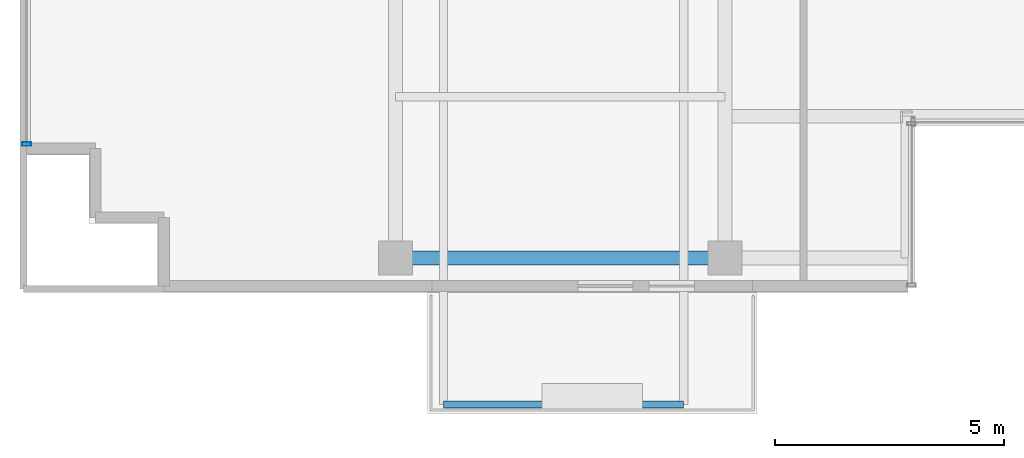
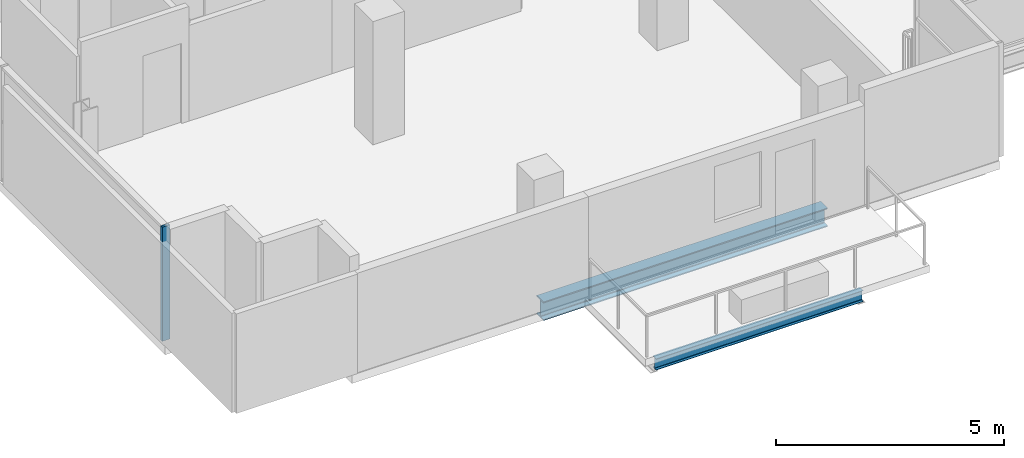
# One storey, part 2 of 21: 2 beams, 1 member, 1 element without a shape of its own.
"""IFC4 building model written with IfcOpenShell, lengths in metres."""

from ifc_helpers import new_model, si_unit, direction, frame, origin, origin_2d, place, context, subcontext, project, spatial, hollow_rectangle, i_section, extrude, source, transform, mapped, material, layer, layer_set, material_profile, profile_set, type_object, element, aggregate, save


model = new_model("IFC4")

# Units and contexts
model_context = context("Model", 3, precision=1e-05, world=origin(), true_north=direction((0.0, 1.0)))
body_context = subcontext(model_context, "Body", "Model", "MODEL_VIEW")
ifc_project = project(units=[si_unit("LENGTHUNIT", "METRE"), si_unit("AREAUNIT", "SQUARE_METRE"), si_unit("VOLUMEUNIT", "CUBIC_METRE"), si_unit("PLANEANGLEUNIT", "RADIAN"), si_unit("MASSUNIT", "GRAM", prefix="KILO")], contexts=[model_context])

# Site, building, storey
site_placement = place(None, origin())
site = spatial("IfcSite", under=ifc_project, at=site_placement, CompositionType="ELEMENT")
building_placement = place(site_placement, origin())
building = spatial("IfcBuilding", under=site, at=building_placement, Name="Zarnakvel Exchange Tower", CompositionType="ELEMENT")
storey_placement = place(building_placement, frame((0.0, 0.0, 182.5)))
storey = spatial("IfcBuildingStorey", under=building, at=storey_placement, Name="L51", CompositionType="ELEMENT", Elevation=182.5)

# Beams
ifc_material_1 = material(Name="Steel S355", Category="steel")
ifc_material_profile_1 = material_profile(ifc_material_1, i_section(OverallWidth=0.14990234375, OverallDepth=0.300048828125, WebThickness=0.007080078125, FlangeThickness=0.0107421875, FilletRadius=0.014892578125, at=origin_2d()))
ifc_profile_set_1 = profile_set([ifc_material_profile_1], Name="Steel S355")
beam_type_1 = type_object("IfcBeamType", Name="B-08", PredefinedType="JOIST", material=ifc_profile_set_1)
beam_1_placement = place(storey_placement, frame((-13.35009765625, -19.85009765625, -0.375), z_axis=(1.0, 0.0, 0.0), x_axis=(0.0, 1.0, 0.0)))
element("IfcBeam", 1, at=beam_1_placement, inside=storey, type_object=beam_type_1, Name="L51 Balcony Edge Beam", PredefinedType="JOIST", context=body_context, shape_type="SweptSolid", body=[
    extrude(i_section(OverallWidth=0.14990234375, OverallDepth=0.300048828125, WebThickness=0.007080078125, FlangeThickness=0.0107421875, FilletRadius=0.014892578125, at=origin_2d()), origin(), (0.0, 0.0, 1.0), 5.25),
])
ifc_material_profile_2 = material_profile(ifc_material_1, i_section(OverallWidth=0.300048828125, OverallDepth=0.5, WebThickness=0.014404296875, FlangeThickness=0.028076171875, FilletRadius=0.027099609375, at=origin_2d()))
ifc_profile_set_2 = profile_set([ifc_material_profile_2], Name="Steel S355")
beam_type_2 = type_object("IfcBeamType", Name="SP-02", PredefinedType="SPANDREL", material=ifc_profile_set_2)
beam_2_placement = place(storey_placement, frame((-14.39990234375, -16.64990234375, -0.47509765625), z_axis=(1.0, 0.0, 0.0), x_axis=(0.0, 1.0, 0.0)))
element("IfcBeam", 2, at=beam_2_placement, inside=storey, type_object=beam_type_2, Name="L51 Tower E-W Frame Beam", PredefinedType="SPANDREL", context=body_context, shape_type="SweptSolid", body=[
    extrude(i_section(OverallWidth=0.300048828125, OverallDepth=0.5, WebThickness=0.014404296875, FlangeThickness=0.028076171875, FilletRadius=0.027099609375, at=origin_2d()), origin(), (0.0, 0.0, 1.0), 7.199951171875),
])

# Curtain wall, member
ifc_material_2 = material(Name="Architectural Bronze Anodised Aluminium", Category="aluminium")
ifc_layer = layer(ifc_material_2, 0.199951171875)
ifc_layer_set = layer_set([ifc_layer], Name="Architectural Bronze Anodised Aluminium")
curtain_wall_type = type_object("IfcCurtainWallType", Name="CW-04", PredefinedType="NOTDEFINED", material=ifc_layer_set)
curtain_wall_placement = place(storey_placement, origin())
curtain_wall = element("IfcCurtainWall", 3, at=curtain_wall_placement, inside=storey, type_object=curtain_wall_type, Name="L51 Curtain Wall CW-L51-W1 (CW-04)", PredefinedType="NOTDEFINED")
ifc_material_profile_3 = material_profile(ifc_material_2, hollow_rectangle(XDim=0.199951171875, YDim=0.074951171875, WallThickness=0.0048828125, at=origin_2d()))
ifc_profile_set_3 = profile_set([ifc_material_profile_3], Name="Architectural Bronze Anodised Aluminium")
member_type = type_object("IfcMemberType", Name="CWM-04", PredefinedType="MULLION", material=ifc_profile_set_3)
shared_shape = source(origin(), body_context, "Body", "SweptSolid", [
    extrude(hollow_rectangle(XDim=0.199951171875, YDim=0.074951171875, WallThickness=0.0048828125, at=origin_2d()), origin(), (0.0, 0.0, 1.0), 3.054931640625),
])
member_placement = place(storey_placement, frame((-22.4599609375, -14.16259765625, 0.0), z_axis=(0.0, 0.0, 1.0), x_axis=(-1.0, 0.0, 0.0)))
member = element("IfcMember", 4, at=member_placement, type_object=member_type, Name="CW-04 mullion 1", PredefinedType="MULLION", context=body_context, shape_type="MappedRepresentation", body=[
    mapped(shared_shape, transform((0.0, 0.0, 0.0), x_axis=(1.0, 0.0, 0.0), y_axis=(0.0, 1.0, 0.0), z_axis=(0.0, 0.0, 1.0), scale=1.0)),
])
aggregate(curtain_wall, [member])

save(model, "model.ifc")
